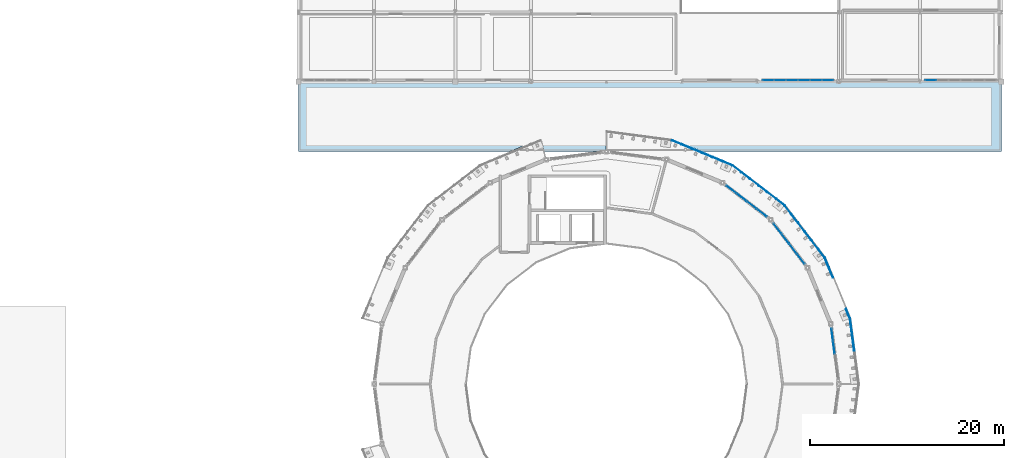
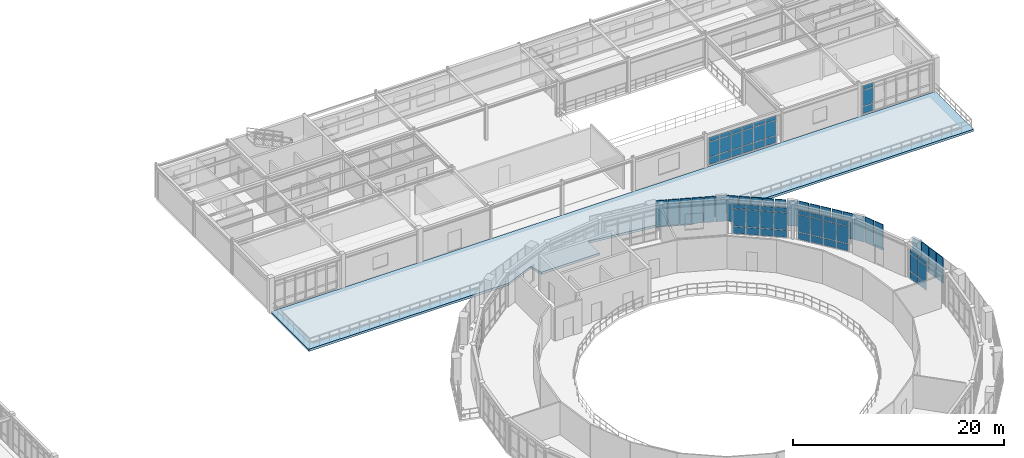
# One storey, part 38 of 58: 75 plates, 1 slab, 5 elements without a shape of their own.
"""IFC4 building model written with IfcOpenShell, lengths in metres."""

import ifcopenshell
import ifcopenshell.guid

model = None  # the IFC model being written
_history = None  # IfcOwnerHistory: only IFC2X3 demands one
_inside = {}  # id of a spatial element -> (the spatial element, [elements in it])
_under = {}  # id of a project, library or spatial element -> (it, [spatial elements below it])
_declared = {}  # id of a project -> (the project, [libraries it declares])
_typed = {}  # id of a type object -> (the type object, [elements of that type])
_made_of = {}  # id of a material, layer set ... -> (it, [elements and type objects made of it])


def new_model(schema):
    """Start an empty IFC model of exactly this schema.

    Asked for "IFC4X3", IfcOpenShell would pick the latest addendum, in which some entities
    have other attributes; the version numbers below select the first issue.
    IFC2X3 requires an IfcOwnerHistory on every rooted entity: one is made here for all.
    """
    global model, _history
    if schema == "IFC4X3":
        model = ifcopenshell.file(schema_version=(4, 3, 0, 0))
    else:
        model = ifcopenshell.file(schema=schema)
    _inside.clear()
    _under.clear()
    _declared.clear()
    _typed.clear()
    _made_of.clear()
    _history = None
    if model.schema == "IFC2X3":
        org = make("IfcOrganization", Name="unknown")
        user = make(
            "IfcPersonAndOrganization",
            ThePerson=make("IfcPerson", FamilyName="unknown"),
            TheOrganization=org,
        )
        app = make(
            "IfcApplication",
            ApplicationDeveloper=org,
            Version="unknown",
            ApplicationFullName="unknown",
            ApplicationIdentifier="unknown",
        )
        _history = make(
            "IfcOwnerHistory",
            OwningUser=user,
            OwningApplication=app,
            ChangeAction="ADDED",
            CreationDate=0,
        )
    return model


def make(cls, **values):
    """One entity of the class cls with the attributes given. An attribute that is None is left unset."""
    return model.create_entity(
        cls, **{name: value for name, value in values.items() if value is not None}
    )


def rooted(cls, **values):
    """An entity with a GlobalId (a new one), such as an element, a storey or a relation."""
    return make(cls, GlobalId=ifcopenshell.guid.new(), OwnerHistory=_history, **values)


def si_unit(unit_type, name, prefix=None):
    """IfcSIUnit, for example si_unit("LENGTHUNIT", "METRE", prefix="MILLI")."""
    return make("IfcSIUnit", UnitType=unit_type, Prefix=prefix, Name=name)


def derived_unit(unit_type, elements):
    """IfcDerivedUnit: a product of units, each with its exponent."""
    return make(
        "IfcDerivedUnit",
        Elements=[
            make("IfcDerivedUnitElement", Unit=unit, Exponent=power)
            for unit, power in elements
        ],
        UnitType=unit_type,
    )


def assignment(units):
    """IfcUnitAssignment: the units of a project."""
    return None if units is None else make("IfcUnitAssignment", Units=units)


def point(xyz):
    """IfcCartesianPoint."""
    return None if xyz is None else make("IfcCartesianPoint", Coordinates=xyz)


def direction(xyz):
    """IfcDirection."""
    return None if xyz is None else make("IfcDirection", DirectionRatios=xyz)


def frame(location, z_axis=None, x_axis=None):
    """IfcAxis2Placement3D, a coordinate frame: its origin and axes. An axis left out is left unset."""
    return make(
        "IfcAxis2Placement3D",
        Location=point(location),
        Axis=direction(z_axis),
        RefDirection=direction(x_axis),
    )


def frame_2d(location, x_axis=None):
    """IfcAxis2Placement2D, a coordinate frame in the plane: its origin and x axis."""
    return make(
        "IfcAxis2Placement2D", Location=point(location), RefDirection=direction(x_axis)
    )


def origin():
    """The frame at (0, 0, 0) with its axes left unset."""
    return frame((0.0, 0.0, 0.0))


def origin_2d():
    """The frame at (0, 0) in the plane with its x axis left unset."""
    return frame_2d((0.0, 0.0))


def place(relative_to, where):
    """IfcLocalPlacement: puts the frame where relative to a parent placement (None: the world)."""
    return make(
        "IfcLocalPlacement", PlacementRelTo=relative_to, RelativePlacement=where
    )


def context(
    kind, dimensions, precision=None, world=None, true_north=None, identifier=None
):
    """IfcGeometricRepresentationContext, for example the 3D "Model" context."""
    return make(
        "IfcGeometricRepresentationContext",
        ContextIdentifier=identifier,
        ContextType=kind,
        CoordinateSpaceDimension=dimensions,
        Precision=precision,
        WorldCoordinateSystem=world,
        TrueNorth=true_north,
    )


def subcontext(parent, identifier, kind, view, scale=None):
    """IfcGeometricRepresentationSubContext, for example "Body" below "Model"."""
    return make(
        "IfcGeometricRepresentationSubContext",
        ContextIdentifier=identifier,
        ContextType=kind,
        ParentContext=parent,
        TargetScale=scale,
        TargetView=view,
    )


def project(units=None, contexts=None):
    """IfcProject with its units and contexts."""
    return rooted(
        "IfcProject",
        Name="project",
        RepresentationContexts=contexts,
        UnitsInContext=assignment(units),
    )


def spatial(cls, under=None, at=None, **own):
    """A site, building, storey or space (cls), placed at a placement, below another one or the project."""
    s = rooted(cls, ObjectPlacement=at, **own)
    if under is not None:
        _under.setdefault(under.id(), (under, []))[1].append(s)
    return s


def polyline(points):
    """IfcPolyline through the points."""
    return make("IfcPolyline", Points=[point(p) for p in points])


def profile(cls, at=None, kind="AREA", **sizes):
    """A parametric profile (cls). Its sizes go by their IFC names, for example OverallWidth=200.0."""
    return make(cls, ProfileType=kind, Position=at, **sizes)


def rectangle(**sizes):
    """IfcRectangleProfileDef."""
    return profile("IfcRectangleProfileDef", **sizes)


def outline(outer, holes=None, kind="AREA"):
    """IfcArbitraryClosedProfileDef: a profile drawn as a closed curve; with holes, ...WithVoids."""
    if holes is None:
        return make("IfcArbitraryClosedProfileDef", ProfileType=kind, OuterCurve=outer)
    return make(
        "IfcArbitraryProfileDefWithVoids",
        ProfileType=kind,
        OuterCurve=outer,
        InnerCurves=holes,
    )


def extrude(swept, where, along, depth):
    """IfcExtrudedAreaSolid: the profile swept, set in the frame where, extruded along a direction by depth."""
    return make(
        "IfcExtrudedAreaSolid",
        SweptArea=swept,
        Position=where,
        ExtrudedDirection=direction(along),
        Depth=depth,
    )


def shape(context_of_items, identifier, shape_type, items):
    """IfcShapeRepresentation: the items that make up one representation, for example the "Body"."""
    return make(
        "IfcShapeRepresentation",
        ContextOfItems=context_of_items,
        RepresentationIdentifier=identifier,
        RepresentationType=shape_type,
        Items=items,
    )


def material(Name=None, Category=None):
    """IfcMaterial."""
    return make("IfcMaterial", Name=Name, Category=Category)


def layer(
    of_material, thickness, ventilated=None, Name=None, Category=None, Priority=None
):
    """IfcMaterialLayer: one layer of a wall or slab, of a material (None: an air gap)."""
    return make(
        "IfcMaterialLayer",
        Material=of_material,
        LayerThickness=thickness,
        IsVentilated=ventilated,
        Name=Name,
        Category=Category,
        Priority=Priority,
    )


def layer_set(layers, Name=None):
    """IfcMaterialLayerSet."""
    return make("IfcMaterialLayerSet", MaterialLayers=layers, LayerSetName=Name)


def made_of(thing, what):
    """Note that an element or type object is made of a material, layer set ...; save() writes the relation."""
    if what is not None:
        _made_of.setdefault(what.id(), (what, []))[1].append(thing)
    return thing


def type_object(cls, material=None, **own):
    """A type object (cls), such as IfcWallType, which elements share."""
    return made_of(rooted(cls, **own), material)


def element(
    cls,
    number,
    at=None,
    inside=None,
    cuts=None,
    type_object=None,
    material=None,
    context=None,
    identifier="Body",
    shape_type=None,
    held_by="IfcProductDefinitionShape",
    body=None,
    shapes=None,
    **own,
):
    """One element of the class cls, such as IfcWall. Its Tag is "e" and its number.

    at: its placement. inside: the storey or other place that contains it. cuts: it is an
    opening in that element (IfcRelVoidsElement). A single representation is given by context,
    identifier, shape_type and body (its items); several are given by shapes. held_by: the class
    of the entity that holds the representations. save() writes the other relations.
    """
    e = rooted(cls, Tag="e%d" % number, ObjectPlacement=at, **own)
    if body is not None:
        shapes = [shape(context, identifier, shape_type, body)]
    if shapes is not None:
        e.Representation = make(held_by, Representations=shapes)
    if inside is not None:
        _inside.setdefault(inside.id(), (inside, []))[1].append(e)
    if cuts is not None:
        rooted(
            "IfcRelVoidsElement", RelatingBuildingElement=cuts, RelatedOpeningElement=e
        )
    if type_object is not None:
        _typed.setdefault(type_object.id(), (type_object, []))[1].append(e)
    return made_of(e, material)


def aggregate(whole, parts):
    """IfcRelAggregates: a whole, such as a stair, and the parts it consists of."""
    return rooted("IfcRelAggregates", RelatingObject=whole, RelatedObjects=parts)


def save(model, path):
    """Write the relations noted so far, then the file.

    IfcRelAggregates (storeys below a building ...), IfcRelContainedInSpatialStructure (elements
    in a storey), IfcRelDefinesByType, IfcRelAssociatesMaterial and IfcRelDeclares: one each for
    every whole, place, type object, material and project.
    """
    for whole, parts in _under.values():
        aggregate(whole, parts)
    for where, things in _inside.values():
        rooted(
            "IfcRelContainedInSpatialStructure",
            RelatedElements=things,
            RelatingStructure=where,
        )
    for kind, things in _typed.values():
        rooted("IfcRelDefinesByType", RelatedObjects=things, RelatingType=kind)
    for what, things in _made_of.values():
        rooted("IfcRelAssociatesMaterial", RelatedObjects=things, RelatingMaterial=what)
    for by, libraries in _declared.values():
        rooted("IfcRelDeclares", RelatingContext=by, RelatedDefinitions=libraries)
    model.write(path)


model = new_model("IFC4")

# Units and contexts
model_context = context("Model", 3, precision=1e-05, world=origin(), true_north=direction((0.0, 1.0)))
body_context = subcontext(model_context, "Body", "Model", "MODEL_VIEW")
ifc_project = project(units=[si_unit("LENGTHUNIT", "METRE"), si_unit("AREAUNIT", "SQUARE_METRE"), si_unit("VOLUMEUNIT", "CUBIC_METRE"), si_unit("PLANEANGLEUNIT", "RADIAN"), si_unit("MASSUNIT", "GRAM", prefix="KILO"), derived_unit("THERMALTRANSMITTANCEUNIT", [(si_unit("POWERUNIT", "WATT"), 1), (si_unit("AREAUNIT", "SQUARE_METRE"), -1), (si_unit("THERMODYNAMICTEMPERATUREUNIT", "KELVIN"), -1)])], contexts=[model_context])

# Site, building, storey
site_placement = place(None, origin())
site = spatial("IfcSite", under=ifc_project, at=site_placement, CompositionType="ELEMENT")
building_placement = place(site_placement, origin())
building = spatial("IfcBuilding", under=site, at=building_placement, Name="Yasenodar Specialist Clinic", CompositionType="ELEMENT")
storey_placement = place(building_placement, frame((0.0, 0.0, 17.25)))
storey = spatial("IfcBuildingStorey", under=building, at=storey_placement, Name="L04", CompositionType="ELEMENT", Elevation=17.25)

# Curtain wall, plates
ifc_material_1 = material(Name="Bronze Anodized Aluminium and Triple Low-E Glass", Category="aluminium")
ifc_layer_1 = layer(ifc_material_1, 0.1669921875)
ifc_layer_set_1 = layer_set([ifc_layer_1], Name="Bronze Anodized Aluminium and Triple Low-E Glass")
curtain_wall_type_1 = type_object("IfcCurtainWallType", Name="CW-SYS-01", PredefinedType="USERDEFINED", material=ifc_layer_set_1)
curtain_wall_1_placement = place(storey_placement, origin())
curtain_wall_1 = element("IfcCurtainWall", 1, at=curtain_wall_1_placement, inside=storey, type_object=curtain_wall_type_1, Name="L04 Unitised Curtain Wall 056", ObjectType="UNITISED CURTAIN WALL", PredefinedType="USERDEFINED")
ifc_material_2 = material(Name="Triple Low-E Argon Glazing", Category="glass")
ifc_layer_2 = layer(ifc_material_2, 0.028076171875)
ifc_layer_set_2 = layer_set([ifc_layer_2], Name="Triple Low-E Argon Glazing")
plate_type_1 = type_object("IfcPlateType", Name="CW-PAN-1", PredefinedType="CURTAIN_PANEL", material=ifc_layer_set_2)
plate_1_placement = place(storey_placement, frame((104.33349609375, 63.863525390625, 0.06005859375), z_axis=(0.0, 0.0, 1.0), x_axis=(0.13051156024, -0.991446787601, 0.0)))
plate_1 = element("IfcPlate", 2, at=plate_1_placement, type_object=plate_type_1, Name="CW-01 panel 1.1", PredefinedType="CURTAIN_PANEL", context=body_context, shape_type="SweptSolid", body=[
    extrude(rectangle(XDim=1.236328125, YDim=0.028076171875, at=origin_2d()), origin(), (0.0, 0.0, 1.0), 0.81005859375),
])
plate_2_placement = place(storey_placement, frame((104.33349609375, 63.863525390625, 0.93017578125), z_axis=(0.0, 0.0, 1.0), x_axis=(0.13051156024, -0.991446787601, 0.0)))
plate_2 = element("IfcPlate", 3, at=plate_2_placement, type_object=plate_type_1, Name="CW-01 panel 1.2", PredefinedType="CURTAIN_PANEL", context=body_context, shape_type="SweptSolid", body=[
    extrude(rectangle(XDim=1.236328125, YDim=0.028076171875, at=origin_2d()), origin(), (0.0, 0.0, 1.0), 1.968017578125),
])
plate_3_placement = place(storey_placement, frame((104.33349609375, 63.863525390625, 2.9580078125), z_axis=(0.0, 0.0, 1.0), x_axis=(0.13051156024, -0.991446787601, 0.0)))
plate_3 = element("IfcPlate", 4, at=plate_3_placement, type_object=plate_type_1, Name="CW-01 panel 1.3", PredefinedType="CURTAIN_PANEL", context=body_context, shape_type="SweptSolid", body=[
    extrude(rectangle(XDim=1.236328125, YDim=0.028076171875, at=origin_2d()), origin(), (0.0, 0.0, 1.0), 0.510009765625),
])
plate_4_placement = place(storey_placement, frame((104.504638671875, 62.563232421875, 0.06005859375), z_axis=(0.0, 0.0, 1.0), x_axis=(0.13051156024, -0.991446787601, 0.0)))
plate_4 = element("IfcPlate", 5, at=plate_4_placement, type_object=plate_type_1, Name="CW-01 panel 2.1", PredefinedType="CURTAIN_PANEL", context=body_context, shape_type="SweptSolid", body=[
    extrude(rectangle(XDim=1.266357421875, YDim=0.028076171875, at=origin_2d()), origin(), (0.0, 0.0, 1.0), 0.81005859375),
])
plate_5_placement = place(storey_placement, frame((104.504638671875, 62.563232421875, 0.93017578125), z_axis=(0.0, 0.0, 1.0), x_axis=(0.13051156024, -0.991446787601, 0.0)))
plate_5 = element("IfcPlate", 6, at=plate_5_placement, type_object=plate_type_1, Name="CW-01 panel 2.2", PredefinedType="CURTAIN_PANEL", context=body_context, shape_type="SweptSolid", body=[
    extrude(rectangle(XDim=1.266357421875, YDim=0.028076171875, at=origin_2d()), origin(), (0.0, 0.0, 1.0), 1.968017578125),
])
plate_6_placement = place(storey_placement, frame((104.504638671875, 62.563232421875, 2.9580078125), z_axis=(0.0, 0.0, 1.0), x_axis=(0.13051156024, -0.991446787601, 0.0)))
plate_6 = element("IfcPlate", 7, at=plate_6_placement, type_object=plate_type_1, Name="CW-01 panel 2.3", PredefinedType="CURTAIN_PANEL", context=body_context, shape_type="SweptSolid", body=[
    extrude(rectangle(XDim=1.266357421875, YDim=0.028076171875, at=origin_2d()), origin(), (0.0, 0.0, 1.0), 0.510009765625),
])
aggregate(curtain_wall_1, [plate_1, plate_2, plate_3, plate_4, plate_5, plate_6])

curtain_wall_2_placement = place(storey_placement, origin())
curtain_wall_2 = element("IfcCurtainWall", 8, at=curtain_wall_2_placement, inside=storey, type_object=curtain_wall_type_1, Name="L04 Unitised Curtain Wall 057", ObjectType="UNITISED CURTAIN WALL", PredefinedType="USERDEFINED")
ifc_layer_3 = layer(ifc_material_2, 0.033935546875)
ifc_layer_set_3 = layer_set([ifc_layer_3], Name="Triple Low-E Argon Glazing")
plate_type_2 = type_object("IfcPlateType", Name="CW-PAN-2", PredefinedType="CURTAIN_PANEL", material=ifc_layer_set_3)
plate_7_placement = place(storey_placement, frame((98.675537109375, 74.851806640625, 0.06005859375), z_axis=(0.0, 0.0, 1.0), x_axis=(0.608752021844, -0.793360558574, 0.0)))
plate_7 = element("IfcPlate", 9, at=plate_7_placement, type_object=plate_type_2, Name="CW-01 panel 1.1", PredefinedType="CURTAIN_PANEL", context=body_context, shape_type="SweptSolid", body=[
    extrude(rectangle(XDim=1.236328125, YDim=0.033935546875, at=origin_2d()), origin(), (0.0, 0.0, 1.0), 0.81005859375),
])
plate_8_placement = place(storey_placement, frame((98.675537109375, 74.851806640625, 0.93017578125), z_axis=(0.0, 0.0, 1.0), x_axis=(0.608752021844, -0.793360558574, 0.0)))
plate_8 = element("IfcPlate", 10, at=plate_8_placement, type_object=plate_type_2, Name="CW-01 panel 1.2", PredefinedType="CURTAIN_PANEL", context=body_context, shape_type="SweptSolid", body=[
    extrude(rectangle(XDim=1.236328125, YDim=0.033935546875, at=origin_2d()), origin(), (0.0, 0.0, 1.0), 1.968017578125),
])
plate_9_placement = place(storey_placement, frame((98.675537109375, 74.851806640625, 2.9580078125), z_axis=(0.0, 0.0, 1.0), x_axis=(0.608752021844, -0.793360558574, 0.0)))
plate_9 = element("IfcPlate", 11, at=plate_9_placement, type_object=plate_type_2, Name="CW-01 panel 1.3", PredefinedType="CURTAIN_PANEL", context=body_context, shape_type="SweptSolid", body=[
    extrude(rectangle(XDim=1.236328125, YDim=0.033935546875, at=origin_2d()), origin(), (0.0, 0.0, 1.0), 0.510009765625),
])
plate_10_placement = place(storey_placement, frame((99.473876953125, 73.8115234375, 0.06005859375), z_axis=(0.0, 0.0, 1.0), x_axis=(0.608752021844, -0.793360558574, 0.0)))
plate_10 = element("IfcPlate", 12, at=plate_10_placement, type_object=plate_type_2, Name="CW-01 panel 2.1", PredefinedType="CURTAIN_PANEL", context=body_context, shape_type="SweptSolid", body=[
    extrude(rectangle(XDim=1.266357421875, YDim=0.033935546875, at=origin_2d()), origin(), (0.0, 0.0, 1.0), 0.81005859375),
])
plate_11_placement = place(storey_placement, frame((99.473876953125, 73.8115234375, 0.93017578125), z_axis=(0.0, 0.0, 1.0), x_axis=(0.608752021844, -0.793360558574, 0.0)))
plate_11 = element("IfcPlate", 13, at=plate_11_placement, type_object=plate_type_2, Name="CW-01 panel 2.2", PredefinedType="CURTAIN_PANEL", context=body_context, shape_type="SweptSolid", body=[
    extrude(rectangle(XDim=1.266357421875, YDim=0.033935546875, at=origin_2d()), origin(), (0.0, 0.0, 1.0), 1.968017578125),
])
plate_12_placement = place(storey_placement, frame((99.473876953125, 73.8115234375, 2.9580078125), z_axis=(0.0, 0.0, 1.0), x_axis=(0.608752021844, -0.793360558574, 0.0)))
plate_12 = element("IfcPlate", 14, at=plate_12_placement, type_object=plate_type_2, Name="CW-01 panel 2.3", PredefinedType="CURTAIN_PANEL", context=body_context, shape_type="SweptSolid", body=[
    extrude(rectangle(XDim=1.266357421875, YDim=0.033935546875, at=origin_2d()), origin(), (0.0, 0.0, 1.0), 0.510009765625),
])
plate_13_placement = place(storey_placement, frame((100.28125, 72.75927734375, 0.06005859375), z_axis=(0.0, 0.0, 1.0), x_axis=(0.608752021844, -0.793360558574, 0.0)))
plate_13 = element("IfcPlate", 15, at=plate_13_placement, type_object=plate_type_2, Name="CW-01 panel 3.1", PredefinedType="CURTAIN_PANEL", context=body_context, shape_type="SweptSolid", body=[
    extrude(rectangle(XDim=1.266357421875, YDim=0.033935546875, at=origin_2d()), origin(), (0.0, 0.0, 1.0), 0.81005859375),
])
plate_14_placement = place(storey_placement, frame((100.28125, 72.75927734375, 0.93017578125), z_axis=(0.0, 0.0, 1.0), x_axis=(0.608752021844, -0.793360558574, 0.0)))
plate_14 = element("IfcPlate", 16, at=plate_14_placement, type_object=plate_type_2, Name="CW-01 panel 3.2", PredefinedType="CURTAIN_PANEL", context=body_context, shape_type="SweptSolid", body=[
    extrude(rectangle(XDim=1.266357421875, YDim=0.033935546875, at=origin_2d()), origin(), (0.0, 0.0, 1.0), 1.968017578125),
])
plate_15_placement = place(storey_placement, frame((100.28125, 72.75927734375, 2.9580078125), z_axis=(0.0, 0.0, 1.0), x_axis=(0.608752021844, -0.793360558574, 0.0)))
plate_15 = element("IfcPlate", 17, at=plate_15_placement, type_object=plate_type_2, Name="CW-01 panel 3.3", PredefinedType="CURTAIN_PANEL", context=body_context, shape_type="SweptSolid", body=[
    extrude(rectangle(XDim=1.266357421875, YDim=0.033935546875, at=origin_2d()), origin(), (0.0, 0.0, 1.0), 0.510009765625),
])
plate_16_placement = place(storey_placement, frame((101.07958984375, 71.71875, 0.06005859375), z_axis=(0.0, 0.0, 1.0), x_axis=(0.608752021844, -0.793360558574, 0.0)))
plate_16 = element("IfcPlate", 18, at=plate_16_placement, type_object=plate_type_2, Name="CW-01 panel 4.1", PredefinedType="CURTAIN_PANEL", context=body_context, shape_type="SweptSolid", body=[
    extrude(rectangle(XDim=1.236328125, YDim=0.033935546875, at=origin_2d()), origin(), (0.0, 0.0, 1.0), 0.81005859375),
])
plate_17_placement = place(storey_placement, frame((101.07958984375, 71.71875, 0.93017578125), z_axis=(0.0, 0.0, 1.0), x_axis=(0.608752021844, -0.793360558574, 0.0)))
plate_17 = element("IfcPlate", 19, at=plate_17_placement, type_object=plate_type_2, Name="CW-01 panel 4.2", PredefinedType="CURTAIN_PANEL", context=body_context, shape_type="SweptSolid", body=[
    extrude(rectangle(XDim=1.236328125, YDim=0.033935546875, at=origin_2d()), origin(), (0.0, 0.0, 1.0), 1.968017578125),
])
plate_18_placement = place(storey_placement, frame((101.07958984375, 71.71875, 2.9580078125), z_axis=(0.0, 0.0, 1.0), x_axis=(0.608752021844, -0.793360558574, 0.0)))
plate_18 = element("IfcPlate", 20, at=plate_18_placement, type_object=plate_type_2, Name="CW-01 panel 4.3", PredefinedType="CURTAIN_PANEL", context=body_context, shape_type="SweptSolid", body=[
    extrude(rectangle(XDim=1.236328125, YDim=0.033935546875, at=origin_2d()), origin(), (0.0, 0.0, 1.0), 0.510009765625),
])
aggregate(curtain_wall_2, [plate_7, plate_8, plate_9, plate_10, plate_11, plate_12, plate_13, plate_14, plate_15, plate_16, plate_17, plate_18])

curtain_wall_3_placement = place(storey_placement, origin())
curtain_wall_3 = element("IfcCurtainWall", 21, at=curtain_wall_3_placement, inside=storey, type_object=curtain_wall_type_1, Name="L04 Unitised Curtain Wall 058", ObjectType="UNITISED CURTAIN WALL", PredefinedType="USERDEFINED")
ifc_layer_4 = layer(ifc_material_2, 0.0400390625)
ifc_layer_set_4 = layer_set([ifc_layer_4], Name="Triple Low-E Argon Glazing")
plate_type_3 = type_object("IfcPlateType", Name="CW-PAN-3", PredefinedType="CURTAIN_PANEL", material=ifc_layer_set_4)
plate_19_placement = place(storey_placement, frame((93.9189453125, 78.879638671875, 0.06005859375), z_axis=(0.0, 0.0, 1.0), x_axis=(0.793360558574, -0.608752021844, 0.0)))
plate_19 = element("IfcPlate", 22, at=plate_19_placement, type_object=plate_type_3, Name="CW-01 panel 1.1", PredefinedType="CURTAIN_PANEL", context=body_context, shape_type="SweptSolid", body=[
    extrude(rectangle(XDim=1.236328125, YDim=0.0400390625, at=origin_2d()), origin(), (0.0, 0.0, 1.0), 0.81005859375),
])
plate_20_placement = place(storey_placement, frame((93.9189453125, 78.879638671875, 0.93017578125), z_axis=(0.0, 0.0, 1.0), x_axis=(0.793360558574, -0.608752021844, 0.0)))
plate_20 = element("IfcPlate", 23, at=plate_20_placement, type_object=plate_type_3, Name="CW-01 panel 1.2", PredefinedType="CURTAIN_PANEL", context=body_context, shape_type="SweptSolid", body=[
    extrude(rectangle(XDim=1.236328125, YDim=0.0400390625, at=origin_2d()), origin(), (0.0, 0.0, 1.0), 1.968017578125),
])
plate_21_placement = place(storey_placement, frame((93.9189453125, 78.879638671875, 2.9580078125), z_axis=(0.0, 0.0, 1.0), x_axis=(0.793360558574, -0.608752021844, 0.0)))
plate_21 = element("IfcPlate", 24, at=plate_21_placement, type_object=plate_type_3, Name="CW-01 panel 1.3", PredefinedType="CURTAIN_PANEL", context=body_context, shape_type="SweptSolid", body=[
    extrude(rectangle(XDim=1.236328125, YDim=0.0400390625, at=origin_2d()), origin(), (0.0, 0.0, 1.0), 0.510009765625),
])
plate_22_placement = place(storey_placement, frame((94.959228515625, 78.081298828125, 0.06005859375), z_axis=(0.0, 0.0, 1.0), x_axis=(0.793360558574, -0.608752021844, 0.0)))
plate_22 = element("IfcPlate", 25, at=plate_22_placement, type_object=plate_type_3, Name="CW-01 panel 2.1", PredefinedType="CURTAIN_PANEL", context=body_context, shape_type="SweptSolid", body=[
    extrude(rectangle(XDim=1.266357421875, YDim=0.0400390625, at=origin_2d()), origin(), (0.0, 0.0, 1.0), 0.81005859375),
])
plate_23_placement = place(storey_placement, frame((94.959228515625, 78.081298828125, 0.93017578125), z_axis=(0.0, 0.0, 1.0), x_axis=(0.793360558574, -0.608752021844, 0.0)))
plate_23 = element("IfcPlate", 26, at=plate_23_placement, type_object=plate_type_3, Name="CW-01 panel 2.2", PredefinedType="CURTAIN_PANEL", context=body_context, shape_type="SweptSolid", body=[
    extrude(rectangle(XDim=1.266357421875, YDim=0.0400390625, at=origin_2d()), origin(), (0.0, 0.0, 1.0), 1.968017578125),
])
plate_24_placement = place(storey_placement, frame((94.959228515625, 78.081298828125, 2.9580078125), z_axis=(0.0, 0.0, 1.0), x_axis=(0.793360558574, -0.608752021844, 0.0)))
plate_24 = element("IfcPlate", 27, at=plate_24_placement, type_object=plate_type_3, Name="CW-01 panel 2.3", PredefinedType="CURTAIN_PANEL", context=body_context, shape_type="SweptSolid", body=[
    extrude(rectangle(XDim=1.266357421875, YDim=0.0400390625, at=origin_2d()), origin(), (0.0, 0.0, 1.0), 0.510009765625),
])
plate_25_placement = place(storey_placement, frame((96.011474609375, 77.27392578125, 0.06005859375), z_axis=(0.0, 0.0, 1.0), x_axis=(0.793360558574, -0.608752021844, 0.0)))
plate_25 = element("IfcPlate", 28, at=plate_25_placement, type_object=plate_type_3, Name="CW-01 panel 3.1", PredefinedType="CURTAIN_PANEL", context=body_context, shape_type="SweptSolid", body=[
    extrude(rectangle(XDim=1.266357421875, YDim=0.0400390625, at=origin_2d()), origin(), (0.0, 0.0, 1.0), 0.81005859375),
])
plate_26_placement = place(storey_placement, frame((96.011474609375, 77.27392578125, 0.93017578125), z_axis=(0.0, 0.0, 1.0), x_axis=(0.793360558574, -0.608752021844, 0.0)))
plate_26 = element("IfcPlate", 29, at=plate_26_placement, type_object=plate_type_3, Name="CW-01 panel 3.2", PredefinedType="CURTAIN_PANEL", context=body_context, shape_type="SweptSolid", body=[
    extrude(rectangle(XDim=1.266357421875, YDim=0.0400390625, at=origin_2d()), origin(), (0.0, 0.0, 1.0), 1.968017578125),
])
plate_27_placement = place(storey_placement, frame((96.011474609375, 77.27392578125, 2.9580078125), z_axis=(0.0, 0.0, 1.0), x_axis=(0.793360558574, -0.608752021844, 0.0)))
plate_27 = element("IfcPlate", 30, at=plate_27_placement, type_object=plate_type_3, Name="CW-01 panel 3.3", PredefinedType="CURTAIN_PANEL", context=body_context, shape_type="SweptSolid", body=[
    extrude(rectangle(XDim=1.266357421875, YDim=0.0400390625, at=origin_2d()), origin(), (0.0, 0.0, 1.0), 0.510009765625),
])
plate_28_placement = place(storey_placement, frame((97.0517578125, 76.4755859375, 0.06005859375), z_axis=(0.0, 0.0, 1.0), x_axis=(0.793360558574, -0.608752021844, 0.0)))
plate_28 = element("IfcPlate", 31, at=plate_28_placement, type_object=plate_type_3, Name="CW-01 panel 4.1", PredefinedType="CURTAIN_PANEL", context=body_context, shape_type="SweptSolid", body=[
    extrude(rectangle(XDim=1.236328125, YDim=0.0400390625, at=origin_2d()), origin(), (0.0, 0.0, 1.0), 0.81005859375),
])
plate_29_placement = place(storey_placement, frame((97.0517578125, 76.4755859375, 0.93017578125), z_axis=(0.0, 0.0, 1.0), x_axis=(0.793360558574, -0.608752021844, 0.0)))
plate_29 = element("IfcPlate", 32, at=plate_29_placement, type_object=plate_type_3, Name="CW-01 panel 4.2", PredefinedType="CURTAIN_PANEL", context=body_context, shape_type="SweptSolid", body=[
    extrude(rectangle(XDim=1.236328125, YDim=0.0400390625, at=origin_2d()), origin(), (0.0, 0.0, 1.0), 1.968017578125),
])
plate_30_placement = place(storey_placement, frame((97.0517578125, 76.4755859375, 2.9580078125), z_axis=(0.0, 0.0, 1.0), x_axis=(0.793360558574, -0.608752021844, 0.0)))
plate_30 = element("IfcPlate", 33, at=plate_30_placement, type_object=plate_type_3, Name="CW-01 panel 4.3", PredefinedType="CURTAIN_PANEL", context=body_context, shape_type="SweptSolid", body=[
    extrude(rectangle(XDim=1.236328125, YDim=0.0400390625, at=origin_2d()), origin(), (0.0, 0.0, 1.0), 0.510009765625),
])
aggregate(curtain_wall_3, [plate_19, plate_20, plate_21, plate_22, plate_23, plate_24, plate_25, plate_26, plate_27, plate_28, plate_29, plate_30])

ifc_layer_5 = layer(ifc_material_1, 0.215087890625)
ifc_layer_set_5 = layer_set([ifc_layer_5], Name="Bronze Anodized Aluminium and Triple Low-E Glass")
curtain_wall_type_2 = type_object("IfcCurtainWallType", Name="CW-SYS-05", PredefinedType="USERDEFINED", material=ifc_layer_set_5)
curtain_wall_4_placement = place(storey_placement, origin())
curtain_wall_4 = element("IfcCurtainWall", 34, at=curtain_wall_4_placement, inside=storey, type_object=curtain_wall_type_2, Name="L04 Unitised Curtain Wall 162", ObjectType="UNITISED CURTAIN WALL", PredefinedType="USERDEFINED")
plate_31_placement = place(storey_placement, frame((114.514892578125, 90.169921875, 0.06005859375), z_axis=(0.0, 0.0, 1.0), x_axis=(-1.0, 0.0, 0.0)))
plate_31 = element("IfcPlate", 35, at=plate_31_placement, type_object=plate_type_3, Name="CW-05 panel 6.1", PredefinedType="CURTAIN_PANEL", context=body_context, shape_type="SweptSolid", body=[
    extrude(rectangle(XDim=1.14990234375, YDim=0.0400390625, at=origin_2d()), origin(), (0.0, 0.0, 1.0), 0.81005859375),
])
plate_32_placement = place(storey_placement, frame((114.514892578125, 90.169921875, 0.929931640625), z_axis=(0.0, 0.0, 1.0), x_axis=(-1.0, 0.0, 0.0)))
plate_32 = element("IfcPlate", 36, at=plate_32_placement, type_object=plate_type_3, Name="CW-05 panel 6.2", PredefinedType="CURTAIN_PANEL", context=body_context, shape_type="SweptSolid", body=[
    extrude(rectangle(XDim=1.14990234375, YDim=0.0400390625, at=origin_2d()), origin(), (0.0, 0.0, 1.0), 1.80810546875),
])
plate_33_placement = place(storey_placement, frame((114.514892578125, 90.169921875, 2.7978515625), z_axis=(0.0, 0.0, 1.0), x_axis=(-1.0, 0.0, 0.0)))
plate_33 = element("IfcPlate", 37, at=plate_33_placement, type_object=plate_type_3, Name="CW-05 panel 6.3", PredefinedType="CURTAIN_PANEL", context=body_context, shape_type="SweptSolid", body=[
    extrude(rectangle(XDim=1.14990234375, YDim=0.0400390625, at=origin_2d()), origin(), (0.0, 0.0, 1.0), 0.510009765625),
])
aggregate(curtain_wall_4, [plate_31, plate_32, plate_33])

curtain_wall_5_placement = place(storey_placement, origin())
curtain_wall_5 = element("IfcCurtainWall", 38, at=curtain_wall_5_placement, inside=storey, type_object=curtain_wall_type_2, Name="L04 Unitised Curtain Wall 163", ObjectType="UNITISED CURTAIN WALL", PredefinedType="USERDEFINED")
ifc_layer_6 = layer(ifc_material_2, 0.0458984375)
ifc_layer_set_6 = layer_set([ifc_layer_6], Name="Triple Low-E Argon Glazing")
plate_type_4 = type_object("IfcPlateType", Name="CW-PAN-4", PredefinedType="CURTAIN_PANEL", material=ifc_layer_set_6)
plate_34_placement = place(storey_placement, frame((103.885009765625, 90.169921875, 0.06005859375), z_axis=(0.0, 0.0, 1.0), x_axis=(-1.0, 0.0, 0.0)))
plate_34 = element("IfcPlate", 39, at=plate_34_placement, type_object=plate_type_4, Name="CW-05 panel 1.1", PredefinedType="CURTAIN_PANEL", context=body_context, shape_type="SweptSolid", body=[
    extrude(rectangle(XDim=1.14990234375, YDim=0.0458984375, at=origin_2d()), origin(), (0.0, 0.0, 1.0), 0.81005859375),
])
plate_35_placement = place(storey_placement, frame((103.885009765625, 90.169921875, 0.929931640625), z_axis=(0.0, 0.0, 1.0), x_axis=(-1.0, 0.0, 0.0)))
plate_35 = element("IfcPlate", 40, at=plate_35_placement, type_object=plate_type_4, Name="CW-05 panel 1.2", PredefinedType="CURTAIN_PANEL", context=body_context, shape_type="SweptSolid", body=[
    extrude(rectangle(XDim=1.14990234375, YDim=0.0458984375, at=origin_2d()), origin(), (0.0, 0.0, 1.0), 1.7080078125),
])
plate_36_placement = place(storey_placement, frame((103.885009765625, 90.169921875, 2.69775390625), z_axis=(0.0, 0.0, 1.0), x_axis=(-1.0, 0.0, 0.0)))
plate_36 = element("IfcPlate", 41, at=plate_36_placement, type_object=plate_type_4, Name="CW-05 panel 1.3", PredefinedType="CURTAIN_PANEL", context=body_context, shape_type="SweptSolid", body=[
    extrude(rectangle(XDim=1.14990234375, YDim=0.0458984375, at=origin_2d()), origin(), (0.0, 0.0, 1.0), 0.510009765625),
])
plate_37_placement = place(storey_placement, frame((102.659912109375, 90.169921875, 0.06005859375), z_axis=(0.0, 0.0, 1.0), x_axis=(-1.0, 0.0, 0.0)))
plate_37 = element("IfcPlate", 42, at=plate_37_placement, type_object=plate_type_4, Name="CW-05 panel 2.1", PredefinedType="CURTAIN_PANEL", context=body_context, shape_type="SweptSolid", body=[
    extrude(rectangle(XDim=1.179931640625, YDim=0.0458984375, at=origin_2d()), origin(), (0.0, 0.0, 1.0), 0.81005859375),
])
plate_38_placement = place(storey_placement, frame((102.659912109375, 90.169921875, 0.929931640625), z_axis=(0.0, 0.0, 1.0), x_axis=(-1.0, 0.0, 0.0)))
plate_38 = element("IfcPlate", 43, at=plate_38_placement, type_object=plate_type_4, Name="CW-05 panel 2.2", PredefinedType="CURTAIN_PANEL", context=body_context, shape_type="SweptSolid", body=[
    extrude(rectangle(XDim=1.179931640625, YDim=0.0458984375, at=origin_2d()), origin(), (0.0, 0.0, 1.0), 1.7080078125),
])
plate_39_placement = place(storey_placement, frame((102.659912109375, 90.169921875, 2.69775390625), z_axis=(0.0, 0.0, 1.0), x_axis=(-1.0, 0.0, 0.0)))
plate_39 = element("IfcPlate", 44, at=plate_39_placement, type_object=plate_type_4, Name="CW-05 panel 2.3", PredefinedType="CURTAIN_PANEL", context=body_context, shape_type="SweptSolid", body=[
    extrude(rectangle(XDim=1.179931640625, YDim=0.0458984375, at=origin_2d()), origin(), (0.0, 0.0, 1.0), 0.510009765625),
])
plate_40_placement = place(storey_placement, frame((101.419921875, 90.169921875, 0.06005859375), z_axis=(0.0, 0.0, 1.0), x_axis=(-1.0, 0.0, 0.0)))
plate_40 = element("IfcPlate", 45, at=plate_40_placement, type_object=plate_type_4, Name="CW-05 panel 3.1", PredefinedType="CURTAIN_PANEL", context=body_context, shape_type="SweptSolid", body=[
    extrude(rectangle(XDim=1.179931640625, YDim=0.0458984375, at=origin_2d()), origin(), (0.0, 0.0, 1.0), 0.81005859375),
])
plate_41_placement = place(storey_placement, frame((101.419921875, 90.169921875, 0.929931640625), z_axis=(0.0, 0.0, 1.0), x_axis=(-1.0, 0.0, 0.0)))
plate_41 = element("IfcPlate", 46, at=plate_41_placement, type_object=plate_type_4, Name="CW-05 panel 3.2", PredefinedType="CURTAIN_PANEL", context=body_context, shape_type="SweptSolid", body=[
    extrude(rectangle(XDim=1.179931640625, YDim=0.0458984375, at=origin_2d()), origin(), (0.0, 0.0, 1.0), 1.7080078125),
])
plate_42_placement = place(storey_placement, frame((101.419921875, 90.169921875, 2.69775390625), z_axis=(0.0, 0.0, 1.0), x_axis=(-1.0, 0.0, 0.0)))
plate_42 = element("IfcPlate", 47, at=plate_42_placement, type_object=plate_type_4, Name="CW-05 panel 3.3", PredefinedType="CURTAIN_PANEL", context=body_context, shape_type="SweptSolid", body=[
    extrude(rectangle(XDim=1.179931640625, YDim=0.0458984375, at=origin_2d()), origin(), (0.0, 0.0, 1.0), 0.510009765625),
])
plate_43_placement = place(storey_placement, frame((100.179931640625, 90.169921875, 0.06005859375), z_axis=(0.0, 0.0, 1.0), x_axis=(-1.0, 0.0, 0.0)))
plate_43 = element("IfcPlate", 48, at=plate_43_placement, type_object=plate_type_4, Name="CW-05 panel 4.1", PredefinedType="CURTAIN_PANEL", context=body_context, shape_type="SweptSolid", body=[
    extrude(rectangle(XDim=1.179931640625, YDim=0.0458984375, at=origin_2d()), origin(), (0.0, 0.0, 1.0), 0.81005859375),
])
plate_44_placement = place(storey_placement, frame((100.179931640625, 90.169921875, 0.929931640625), z_axis=(0.0, 0.0, 1.0), x_axis=(-1.0, 0.0, 0.0)))
plate_44 = element("IfcPlate", 49, at=plate_44_placement, type_object=plate_type_4, Name="CW-05 panel 4.2", PredefinedType="CURTAIN_PANEL", context=body_context, shape_type="SweptSolid", body=[
    extrude(rectangle(XDim=1.179931640625, YDim=0.0458984375, at=origin_2d()), origin(), (0.0, 0.0, 1.0), 1.7080078125),
])
plate_45_placement = place(storey_placement, frame((100.179931640625, 90.169921875, 2.69775390625), z_axis=(0.0, 0.0, 1.0), x_axis=(-1.0, 0.0, 0.0)))
plate_45 = element("IfcPlate", 50, at=plate_45_placement, type_object=plate_type_4, Name="CW-05 panel 4.3", PredefinedType="CURTAIN_PANEL", context=body_context, shape_type="SweptSolid", body=[
    extrude(rectangle(XDim=1.179931640625, YDim=0.0458984375, at=origin_2d()), origin(), (0.0, 0.0, 1.0), 0.510009765625),
])
plate_46_placement = place(storey_placement, frame((98.93994140625, 90.169921875, 0.06005859375), z_axis=(0.0, 0.0, 1.0), x_axis=(-1.0, 0.0, 0.0)))
plate_46 = element("IfcPlate", 51, at=plate_46_placement, type_object=plate_type_4, Name="CW-05 panel 5.1", PredefinedType="CURTAIN_PANEL", context=body_context, shape_type="SweptSolid", body=[
    extrude(rectangle(XDim=1.179931640625, YDim=0.0458984375, at=origin_2d()), origin(), (0.0, 0.0, 1.0), 0.81005859375),
])
plate_47_placement = place(storey_placement, frame((98.93994140625, 90.169921875, 0.929931640625), z_axis=(0.0, 0.0, 1.0), x_axis=(-1.0, 0.0, 0.0)))
plate_47 = element("IfcPlate", 52, at=plate_47_placement, type_object=plate_type_4, Name="CW-05 panel 5.2", PredefinedType="CURTAIN_PANEL", context=body_context, shape_type="SweptSolid", body=[
    extrude(rectangle(XDim=1.179931640625, YDim=0.0458984375, at=origin_2d()), origin(), (0.0, 0.0, 1.0), 1.7080078125),
])
plate_48_placement = place(storey_placement, frame((98.93994140625, 90.169921875, 2.69775390625), z_axis=(0.0, 0.0, 1.0), x_axis=(-1.0, 0.0, 0.0)))
plate_48 = element("IfcPlate", 53, at=plate_48_placement, type_object=plate_type_4, Name="CW-05 panel 5.3", PredefinedType="CURTAIN_PANEL", context=body_context, shape_type="SweptSolid", body=[
    extrude(rectangle(XDim=1.179931640625, YDim=0.0458984375, at=origin_2d()), origin(), (0.0, 0.0, 1.0), 0.510009765625),
])
plate_49_placement = place(storey_placement, frame((97.715087890625, 90.169921875, 0.06005859375), z_axis=(0.0, 0.0, 1.0), x_axis=(-1.0, 0.0, 0.0)))
plate_49 = element("IfcPlate", 54, at=plate_49_placement, type_object=plate_type_4, Name="CW-05 panel 6.1", PredefinedType="CURTAIN_PANEL", context=body_context, shape_type="SweptSolid", body=[
    extrude(rectangle(XDim=1.14990234375, YDim=0.0458984375, at=origin_2d()), origin(), (0.0, 0.0, 1.0), 0.81005859375),
])
plate_50_placement = place(storey_placement, frame((97.715087890625, 90.169921875, 0.929931640625), z_axis=(0.0, 0.0, 1.0), x_axis=(-1.0, 0.0, 0.0)))
plate_50 = element("IfcPlate", 55, at=plate_50_placement, type_object=plate_type_4, Name="CW-05 panel 6.2", PredefinedType="CURTAIN_PANEL", context=body_context, shape_type="SweptSolid", body=[
    extrude(rectangle(XDim=1.14990234375, YDim=0.0458984375, at=origin_2d()), origin(), (0.0, 0.0, 1.0), 1.7080078125),
])
plate_51_placement = place(storey_placement, frame((97.715087890625, 90.169921875, 2.69775390625), z_axis=(0.0, 0.0, 1.0), x_axis=(-1.0, 0.0, 0.0)))
plate_51 = element("IfcPlate", 56, at=plate_51_placement, type_object=plate_type_4, Name="CW-05 panel 6.3", PredefinedType="CURTAIN_PANEL", context=body_context, shape_type="SweptSolid", body=[
    extrude(rectangle(XDim=1.14990234375, YDim=0.0458984375, at=origin_2d()), origin(), (0.0, 0.0, 1.0), 0.510009765625),
])
aggregate(curtain_wall_5, [plate_34, plate_35, plate_36, plate_37, plate_38, plate_39, plate_40, plate_41, plate_42, plate_43, plate_44, plate_45, plate_46, plate_47, plate_48, plate_49, plate_50, plate_51])

# Plates
ifc_material_3 = material(Name="Thermally Modified Larch and Bronze Girih Jali Screen")
ifc_layer_7 = layer(ifc_material_3, 0.06494140625)
ifc_layer_set_7 = layer_set([ifc_layer_7], Name="Thermally Modified Larch and Bronze Girih Jali Screen")
plate_type_5 = type_object("IfcPlateType", Name="PL-JALI-850", PredefinedType="USERDEFINED", material=ifc_layer_set_7)
for number, where, z_axis, x_axis, name in (
    (57, (106.54052734375, 62.7373046875, 0.0048828125), (0.0, 0.0, 1.0), (-0.130519185854, 0.991445783754, 0.0), "L04 Sliding Timber-Bronze Jali Shutter Screen 0334"),
    (58, (106.3916015625, 63.86767578125, 0.0048828125), (0.0, 0.0, 1.0), (-0.130519185854, 0.991445783754, 0.0), "L04 Sliding Timber-Bronze Jali Shutter Screen 0335"),
    (59, (106.242919921875, 64.997802734375, 0.0048828125), (0.0, 0.0, 1.0), (-0.130519185854, 0.991445783754, 0.0), "L04 Sliding Timber-Bronze Jali Shutter Screen 0336"),
    (60, (105.959716796875, 66.05419921875, 0.0048828125), (0.0, 0.0, 1.0), (-0.382686667195, 0.923878192594, 0.0), "L04 Sliding Timber-Bronze Jali Shutter Screen 0337"),
    (61, (104.21484375, 70.2666015625, 0.0048828125), (0.0, 0.0, 1.0), (-0.382686667195, 0.923878192594, 0.0), "L04 Sliding Timber-Bronze Jali Shutter Screen 0338"),
    (62, (103.77880859375, 71.31982421875, 0.0048828125), (0.0, 0.0, 1.0), (-0.382686667195, 0.923878192594, 0.0), "L04 Sliding Timber-Bronze Jali Shutter Screen 0339"),
    (63, (103.23193359375, 72.26708984375, 0.0048828125), (0.0, 0.0, 1.0), (-0.608764217148, 0.793351200869, 0.0), "L04 Sliding Timber-Bronze Jali Shutter Screen 0340"),
    (64, (102.537841796875, 73.17138671875, 0.0048828125), (0.0, 0.0, 1.0), (-0.608764217148, 0.793351200869, 0.0), "L04 Sliding Timber-Bronze Jali Shutter Screen 0341"),
    (65, (101.843994140625, 74.07568359375, 0.0048828125), (0.0, 0.0, 1.0), (-0.608764217148, 0.793351200869, 0.0), "L04 Sliding Timber-Bronze Jali Shutter Screen 0342"),
    (66, (101.14990234375, 74.97998046875, 0.0048828125), (0.0, 0.0, 1.0), (-0.608764217148, 0.793351200869, 0.0), "L04 Sliding Timber-Bronze Jali Shutter Screen 0343"),
    (67, (100.4560546875, 75.884521484375, 0.0048828125), (0.0, 0.0, 1.0), (-0.608764217148, 0.793351200869, 0.0), "L04 Sliding Timber-Bronze Jali Shutter Screen 0344"),
    (68, (99.76220703125, 76.788818359375, 0.0048828125), (0.0, 0.0, 1.0), (-0.608764217148, 0.793351200869, 0.0), "L04 Sliding Timber-Bronze Jali Shutter Screen 0345"),
    (69, (98.98876953125, 77.56201171875, 0.0048828125), (0.0, 0.0, 1.0), (-0.793351200869, 0.608764217148, 0.0), "L04 Sliding Timber-Bronze Jali Shutter Screen 0346"),
    (70, (98.08447265625, 78.256103515625, 0.0048828125), (0.0, 0.0, 1.0), (-0.793351200869, 0.608764217148, 0.0), "L04 Sliding Timber-Bronze Jali Shutter Screen 0347"),
    (71, (97.18017578125, 78.949951171875, 0.0048828125), (0.0, 0.0, 1.0), (-0.793351200869, 0.608764217148, 0.0), "L04 Sliding Timber-Bronze Jali Shutter Screen 0348"),
    (72, (96.275634765625, 79.64404296875, 0.0048828125), (0.0, 0.0, 1.0), (-0.793351200869, 0.608764217148, 0.0), "L04 Sliding Timber-Bronze Jali Shutter Screen 0349"),
    (73, (95.371337890625, 80.337890625, 0.0048828125), (0.0, 0.0, 1.0), (-0.793351200869, 0.608764217148, 0.0), "L04 Sliding Timber-Bronze Jali Shutter Screen 0350"),
    (74, (94.467041015625, 81.031982421875, 0.0048828125), (0.0, 0.0, 1.0), (-0.793351200869, 0.608764217148, 0.0), "L04 Sliding Timber-Bronze Jali Shutter Screen 0351"),
    (75, (93.519775390625, 81.57861328125, 0.0048828125), (0.0, 0.0, 1.0), (-0.923878192594, 0.382686667195, 0.0), "L04 Sliding Timber-Bronze Jali Shutter Screen 0352"),
    (76, (92.466796875, 82.014892578125, 0.0048828125), (0.0, 0.0, 1.0), (-0.923878192594, 0.382686667195, 0.0), "L04 Sliding Timber-Bronze Jali Shutter Screen 0353"),
    (77, (91.41357421875, 82.451171875, 0.0048828125), (0.0, 0.0, 1.0), (-0.923878192594, 0.382686667195, 0.0), "L04 Sliding Timber-Bronze Jali Shutter Screen 0354"),
    (78, (90.3603515625, 82.887451171875, 0.0048828125), (0.0, 0.0, 1.0), (-0.923878192594, 0.382686667195, 0.0), "L04 Sliding Timber-Bronze Jali Shutter Screen 0355"),
    (79, (89.30712890625, 83.323486328125, 0.0048828125), (0.0, 0.0, 1.0), (-0.923878192594, 0.382686667195, 0.0), "L04 Sliding Timber-Bronze Jali Shutter Screen 0356"),
    (80, (88.254150390625, 83.759765625, 0.0048828125), (0.0, 0.0, 1.0), (-0.923878192594, 0.382686667195, 0.0), "L04 Sliding Timber-Bronze Jali Shutter Screen 0357"),
):
    element("IfcPlate", number, at=place(storey_placement, frame(where, z_axis=z_axis, x_axis=x_axis)), inside=storey, type_object=plate_type_5, Name=name, ObjectType="SCREEN_PANEL", PredefinedType="USERDEFINED", context=body_context, shape_type="SweptSolid", body=[
        extrude(rectangle(XDim=1.0400390625, YDim=0.06494140625, at=origin_2d()), origin(), (0.0, 0.0, 1.0), 2.949951171875),
    ])

# Slab
ifc_material_4 = material(Name="Concrete C30/37", Category="concrete")
ifc_layer_8 = layer(ifc_material_4, 0.260009765625)
ifc_layer_set_8 = layer_set([ifc_layer_8], Name="Concrete C30/37")
slab_type = type_object("IfcSlabType", Name="SLB-TERR-260", PredefinedType="FLOOR", material=ifc_layer_set_8)
slab_placement = place(storey_placement, frame((0.0, 0.0, -0.260009765625)))
element("IfcSlab", 81, at=slab_placement, inside=storey, type_object=slab_type, Name="L04 V5 Step-1 Planted Roof Terrace", PredefinedType="FLOOR", context=body_context, shape_type="SweptSolid", body=[
    extrude(outline(polyline([(49.199951171875, 82.800048828125), (49.199951171875, 89.985107421875), (121.800048828125, 89.985107421875), (121.800048828125, 82.800048828125), (90.976318359375, 82.800048828125), (87.784912109375, 84.121826171875), (80.985107421875, 85.01708984375), (80.985107421875, 82.813232421875), (80.885009765625, 82.800048828125), (74.584716796875, 82.800048828125), (74.22900390625, 84.127685546875), (71.023681640625, 82.800048828125), (49.199951171875, 82.800048828125)])), origin(), (0.0, 0.0, 1.0), 0.260009765625),
])

save(model, "model.ifc")
